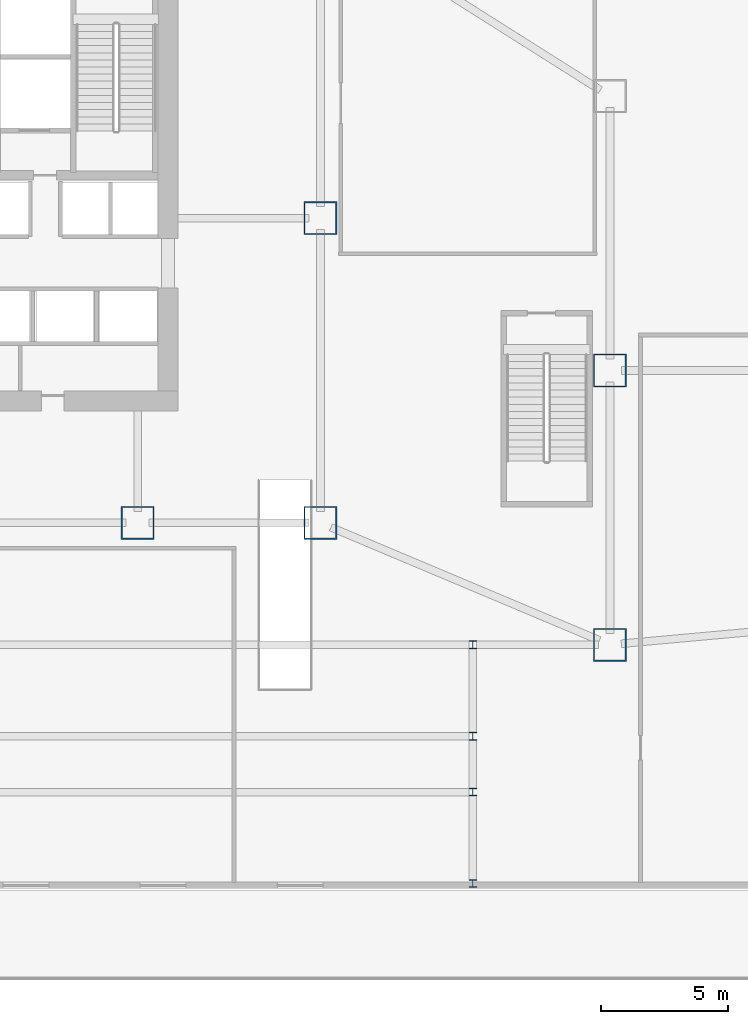
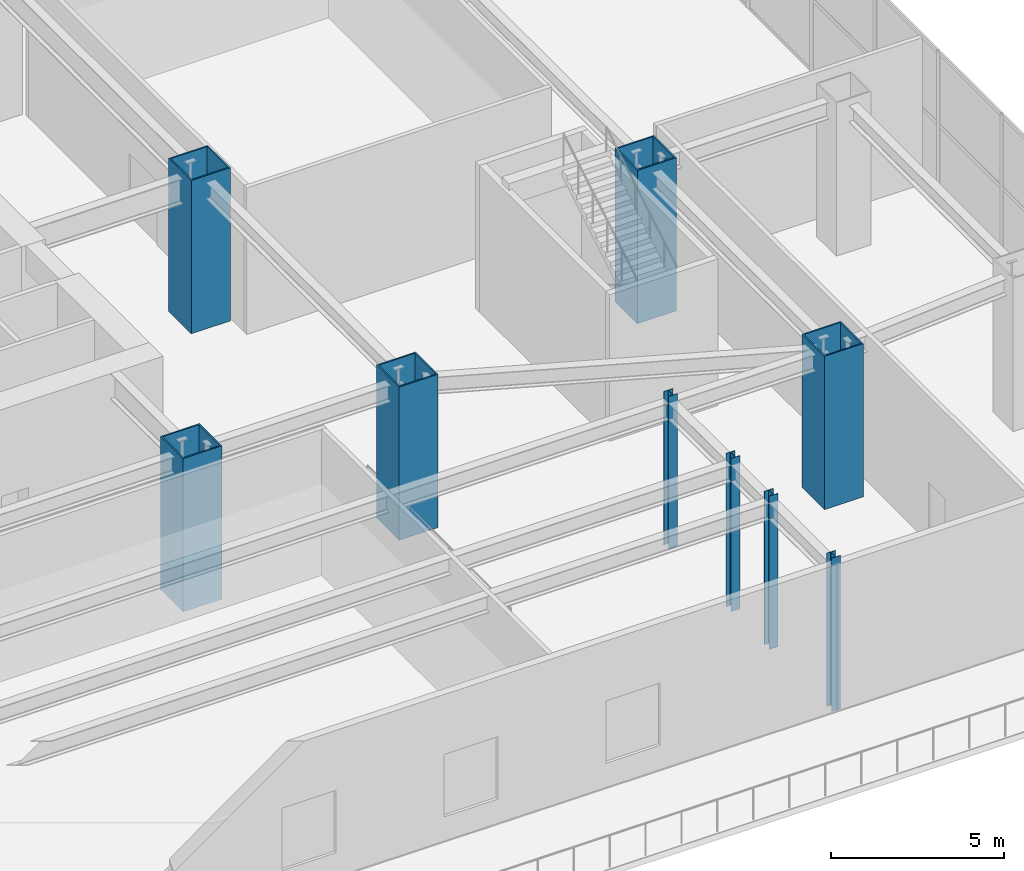
# One storey, part 2 of 37: 9 columns.
"""IFC4 building model written with IfcOpenShell, lengths in metres."""

from ifc_helpers import new_model, si_unit, direction, frame, origin, origin_2d, place, context, subcontext, project, spatial, hollow_rectangle, i_section, extrude, material, material_profile, profile_set, type_object, element, save


model = new_model("IFC4")

# Units and contexts
model_context = context("Model", 3, precision=1e-05, world=origin(), true_north=direction((0.0, 1.0)))
body_context = subcontext(model_context, "Body", "Model", "MODEL_VIEW")
ifc_project = project(units=[si_unit("LENGTHUNIT", "METRE"), si_unit("AREAUNIT", "SQUARE_METRE"), si_unit("VOLUMEUNIT", "CUBIC_METRE"), si_unit("PLANEANGLEUNIT", "RADIAN"), si_unit("MASSUNIT", "GRAM", prefix="KILO")], contexts=[model_context])

# Site, building, storey
site_placement = place(None, origin())
site = spatial("IfcSite", under=ifc_project, at=site_placement, CompositionType="ELEMENT")
building_placement = place(site_placement, origin())
building = spatial("IfcBuilding", under=site, at=building_placement, Name="Haolan Belvedere Tower", CompositionType="ELEMENT")
storey_placement = place(building_placement, frame((0.0, 0.0, 10.199951171875)))
storey = spatial("IfcBuildingStorey", under=building, at=storey_placement, Name="L02", CompositionType="ELEMENT", Elevation=10.199951171875)

# Columns
ifc_material = material(Name="Steel Q355B", Category="steel")
ifc_material_profile_1 = material_profile(ifc_material, hollow_rectangle(XDim=1.300048828125, YDim=1.300048828125, WallThickness=0.048095703125, at=origin_2d()), Name="Steel Q355B")
ifc_profile_set_1 = profile_set([ifc_material_profile_1], Name="Steel Q355B")
column_type_1 = type_object("IfcColumnType", Name="COL-BOX1300x1300x48", PredefinedType="COLUMN", material=ifc_profile_set_1)
for number, where, z_axis, x_axis, name in (
    (1, (52.800048828125, 21.60009765625, 0.0), (0.0, 0.0, 1.0), (1.0, 0.0, 0.0), "L02 column MC-T3-SE (BOX1300x1300x48)"),
    (2, (52.800048828125, 33.60009765625, 0.0), (0.0, 0.0, 1.0), (1.0, 0.0, 0.0), "L02 column MC-T3-ME (BOX1300x1300x48)"),
    (3, (45.60009765625, 21.60009765625, 0.0), (0.0, 0.0, 1.0), (1.0, 0.0, 0.0), "L02 column MC-T3-S2 (BOX1300x1300x48)"),
    (4, (64.199951171875, 16.800048828125, 0.0), (0.0, 0.0, 1.0), (1.0, 0.0, 0.0), "L02 column MC-T4-SE (BOX1300x1300x48)"),
    (5, (64.199951171875, 27.60009765625, 0.0), (0.0, 0.0, 1.0), (1.0, 0.0, 0.0), "L02 column MC-T4-ME (BOX1300x1300x48)"),
):
    element("IfcColumn", number, at=place(storey_placement, frame(where, z_axis=z_axis, x_axis=x_axis)), inside=storey, type_object=column_type_1, Name=name, PredefinedType="COLUMN", context=body_context, shape_type="SweptSolid", body=[
        extrude(hollow_rectangle(XDim=1.300048828125, YDim=1.300048828125, WallThickness=0.048095703125, at=origin_2d()), origin(), (0.0, 0.0, 1.0), 5.400146484375),
    ])
ifc_material_profile_2 = material_profile(ifc_material, i_section(OverallWidth=0.300048828125, OverallDepth=0.300048828125, WebThickness=0.010009765625, FlangeThickness=0.014892578125, FilletRadius=0.01806640625, at=origin_2d()), Name="Steel Q355B")
ifc_profile_set_2 = profile_set([ifc_material_profile_2], Name="Steel Q355B")
column_type_2 = type_object("IfcColumnType", Name="COL-HW300x300x10x15", PredefinedType="COLUMN", material=ifc_profile_set_2)
for number, where, z_axis, x_axis, name in (
    (6, (58.800048828125, 7.39990234375, 0.0), (0.0, 0.0, 1.0), (1.0, 0.0, 0.0), "L02 column PC-SE-1 (HW300x300x10x15)"),
    (7, (58.800048828125, 11.0, 0.0), (0.0, 0.0, 1.0), (1.0, 0.0, 0.0), "L02 column PC-CS2-E (HW300x300x10x15)"),
    (8, (58.800048828125, 13.199951171875, 0.0), (0.0, 0.0, 1.0), (1.0, 0.0, 0.0), "L02 column PC-CS3-E (HW300x300x10x15)"),
    (9, (58.800048828125, 16.800048828125, 0.0), (0.0, 0.0, 1.0), (1.0, 0.0, 0.0), "L02 column PC-CS4-E (HW300x300x10x15)"),
):
    element("IfcColumn", number, at=place(storey_placement, frame(where, z_axis=z_axis, x_axis=x_axis)), inside=storey, type_object=column_type_2, Name=name, PredefinedType="COLUMN", context=body_context, shape_type="SweptSolid", body=[
        extrude(i_section(OverallWidth=0.300048828125, OverallDepth=0.300048828125, WebThickness=0.010009765625, FlangeThickness=0.014892578125, FilletRadius=0.01806640625, at=origin_2d()), origin(), (0.0, 0.0, 1.0), 5.400146484375),
    ])

save(model, "model.ifc")
